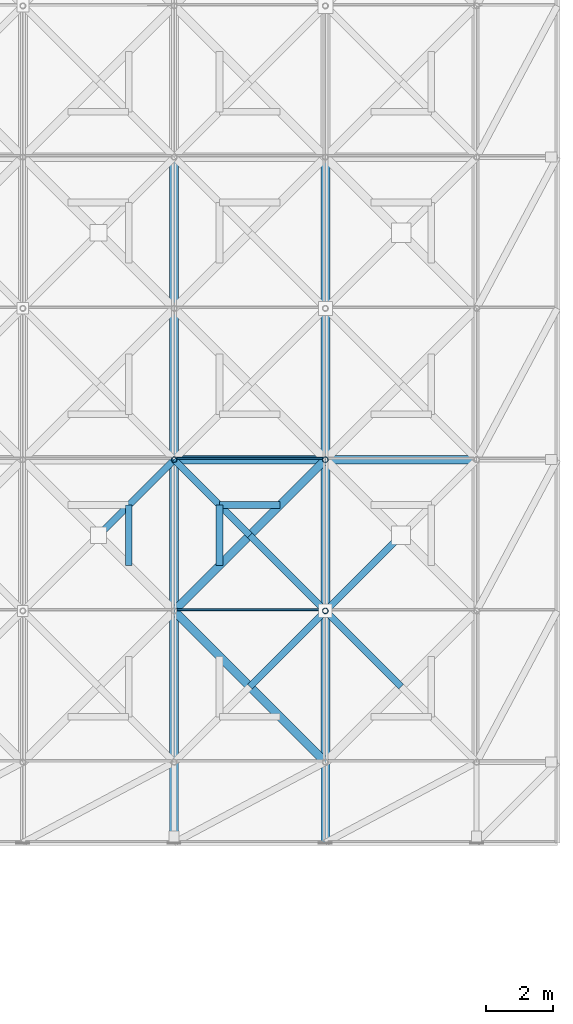
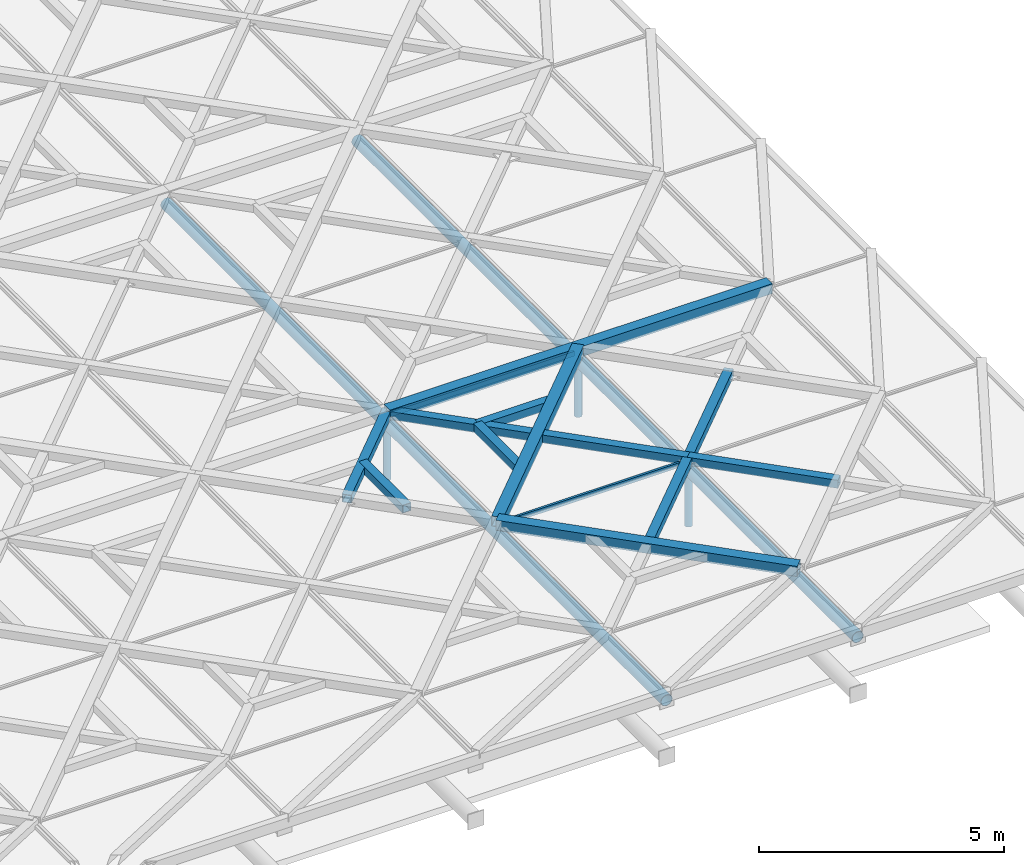
# One storey, part 24 of 80: 18 members, 1 element without a shape of its own.
"""IFC4 building model written with IfcOpenShell, lengths in metres."""

from ifc_helpers import new_model, si_unit, direction, frame, origin, origin_2d, place, context, subcontext, project, spatial, rectangle, hollow_rectangle, hollow_circle, extrude, material, material_profile, profile_set, type_object, element, aggregate, save


model = new_model("IFC4")

# Units and contexts
model_context = context("Model", 3, precision=1e-05, world=origin(), true_north=direction((0.0, 1.0)))
body_context = subcontext(model_context, "Body", "Model", "MODEL_VIEW")
ifc_project = project(units=[si_unit("LENGTHUNIT", "METRE"), si_unit("AREAUNIT", "SQUARE_METRE"), si_unit("VOLUMEUNIT", "CUBIC_METRE"), si_unit("PLANEANGLEUNIT", "RADIAN"), si_unit("MASSUNIT", "GRAM", prefix="KILO"), si_unit("THERMODYNAMICTEMPERATUREUNIT", "KELVIN"), si_unit("POWERUNIT", "WATT")], contexts=[model_context])

# Site, building, storey
site_placement = place(None, origin())
site = spatial("IfcSite", under=ifc_project, at=site_placement, CompositionType="ELEMENT")
building_placement = place(site_placement, origin())
building = spatial("IfcBuilding", under=site, at=building_placement, Name="Tallowbark Science Centre", CompositionType="ELEMENT")
storey_placement = place(building_placement, frame((0.0, 0.0, 25.949951171875)))
storey = spatial("IfcBuildingStorey", under=building, at=storey_placement, Name="ROOF", CompositionType="ELEMENT", Elevation=25.949951171875)

# Curtain wall, members
ifc_material_1 = material(Name="Blue-Tinted Laminated Low-E Skylight Glass", Category="glass")
curtain_wall_type = type_object("IfcCurtainWallType", Name="CW-SKY-ROOF", PredefinedType="NOTDEFINED", material=ifc_material_1)
curtain_wall_placement = place(storey_placement, origin())
curtain_wall = element("IfcCurtainWall", 1, at=curtain_wall_placement, inside=storey, type_object=curtain_wall_type, Name="Exhibition Star-Screen Skylight Bay 10", PredefinedType="NOTDEFINED")
ifc_material_2 = material(Name="Anodised Architectural Aluminium Alloy 6063-T6", Category="aluminium")
ifc_material_profile_1 = material_profile(ifc_material_2, rectangle(XDim=0.054931640625, YDim=0.1201171875, at=origin_2d()), Name="ALU55x120")
ifc_profile_set_1 = profile_set([ifc_material_profile_1], Name="Anodised Architectural Aluminium Alloy 6063-T6")
member_type_1 = type_object("IfcMemberType", Name="CWM-SKY-TRN", PredefinedType="USERDEFINED", material=ifc_profile_set_1)
member_1_placement = place(storey_placement, frame((94.580078125, 9.0400390625, 0.35205078125), z_axis=(1.0, 0.0, 0.0), x_axis=(0.0, 1.0, 0.0)))
member_1 = element("IfcMember", 2, at=member_1_placement, type_object=member_type_1, Name="Skylight Bay 10 Transom 3", ObjectType="TRANSOM", PredefinedType="USERDEFINED", context=body_context, shape_type="SweptSolid", body=[
    extrude(rectangle(XDim=0.054931640625, YDim=0.1201171875, at=origin_2d()), origin(), (0.0, 0.0, 1.0), 4.33984375),
])
member_2_placement = place(storey_placement, frame((94.580078125, 13.5400390625, 0.35205078125), z_axis=(1.0, 0.0, 0.0), x_axis=(0.0, 1.0, 0.0)))
member_2 = element("IfcMember", 3, at=member_2_placement, type_object=member_type_1, Name="Skylight Bay 10 Transom 4", ObjectType="TRANSOM", PredefinedType="USERDEFINED", context=body_context, shape_type="SweptSolid", body=[
    extrude(rectangle(XDim=0.054931640625, YDim=0.1201171875, at=origin_2d()), origin(), (0.0, 0.0, 1.0), 4.33984375),
])
aggregate(curtain_wall, [member_1, member_2])

# Members
ifc_material_3 = material(Name="White Architectural Painted Steel Grade C350L0 (350 MPa)", Category="steel")
ifc_material_profile_2 = material_profile(ifc_material_3, hollow_rectangle(XDim=0.25, YDim=0.25, WallThickness=0.009033203125, at=origin_2d()), Name="250x250x9.0SHS")
ifc_profile_set_2 = profile_set([ifc_material_profile_2], Name="White Architectural Painted Steel Grade C350L0 (350 MPa)")
member_type_2 = type_object("IfcMemberType", Name="SCR-CHD200", PredefinedType="CHORD", material=ifc_profile_set_2)
member_3_placement = place(storey_placement, frame((94.5, 13.5, 0.449951171875), z_axis=(1.0, 0.0, 0.0), x_axis=(0.0, 1.0, 0.0)))
element("IfcMember", 4, at=member_3_placement, inside=storey, type_object=member_type_2, Name="Star Screen Frame Chord TOP-70", PredefinedType="CHORD", context=body_context, shape_type="SweptSolid", body=[
    extrude(hollow_rectangle(XDim=0.25, YDim=0.25, WallThickness=0.009033203125, at=origin_2d()), origin(), (0.0, 0.0, 1.0), 9.0),
])
for number, where, z_axis, x_axis, name in (
    (5, (99.0, 13.5, 0.449951171875), (-0.707106781187, -0.707106781187, 0.0), (0.707106781187, -0.707106781187, 0.0), "Star Screen Octagram Diamond Chord TOP-70-3"),
    (6, (94.5, 9.0, 0.449951171875), (0.707106781187, -0.707106781187, 0.0), (0.707106781187, 0.707106781187, 0.0), "Star Screen Octagram Diamond Chord TOP-70-4"),
):
    element("IfcMember", number, at=place(storey_placement, frame(where, z_axis=z_axis, x_axis=x_axis)), inside=storey, type_object=member_type_2, Name=name, PredefinedType="CHORD", context=body_context, shape_type="SweptSolid", body=[
        extrude(hollow_rectangle(XDim=0.25, YDim=0.25, WallThickness=0.009033203125, at=origin_2d()), origin(), (0.0, 0.0, 1.0), 6.364013671875),
    ])
ifc_material_profile_3 = material_profile(ifc_material_3, hollow_rectangle(XDim=0.199951171875, YDim=0.199951171875, WallThickness=0.009033203125, at=origin_2d()), Name="200x200x9.0SHS")
ifc_profile_set_3 = profile_set([ifc_material_profile_3], Name="White Architectural Painted Steel Grade C350L0 (350 MPa)")
member_type_3 = type_object("IfcMemberType", Name="SCR-STAR139", PredefinedType="BRACE", material=ifc_profile_set_3)
member_4_placement = place(storey_placement, frame((92.25, 11.25, 0.449951171875), z_axis=(0.707106781187, 0.707106781187, 0.0), x_axis=(-0.707106781187, 0.707106781187, 0.0)))
element("IfcMember", 7, at=member_4_placement, inside=storey, type_object=member_type_3, Name="Star Screen Continuous X-Diagonal D1B TOP-66", PredefinedType="BRACE", context=body_context, shape_type="SweptSolid", body=[
    extrude(hollow_rectangle(XDim=0.199951171875, YDim=0.199951171875, WallThickness=0.009033203125, at=origin_2d()), origin(), (0.0, 0.0, 1.0), 3.181884765625),
])
member_5_placement = place(storey_placement, frame((96.75, 6.75, 0.449951171875), z_axis=(0.707106781187, 0.707106781187, 0.0), x_axis=(-0.707106781187, 0.707106781187, 0.0)))
element("IfcMember", 8, at=member_5_placement, inside=storey, type_object=member_type_3, Name="Star Screen Continuous X-Diagonal D1M TOP-70", PredefinedType="BRACE", context=body_context, shape_type="SweptSolid", body=[
    extrude(hollow_rectangle(XDim=0.199951171875, YDim=0.199951171875, WallThickness=0.009033203125, at=origin_2d()), origin(), (0.0, 0.0, 1.0), 6.364013671875),
])
for number, where, z_axis, x_axis, name in (
    (9, (94.5, 13.5, 0.449951171875), (0.707106781187, -0.707106781187, 0.0), (0.707106781187, 0.707106781187, 0.0), "Star Screen Split X-Diagonal D2A TOP-70"),
    (10, (96.75, 11.25, 0.449951171875), (0.707106781187, -0.707106781187, 0.0), (0.707106781187, 0.707106781187, 0.0), "Star Screen Split X-Diagonal D2B TOP-70"),
    (11, (99.0, 9.0, 0.449951171875), (0.707106781187, -0.707106781187, 0.0), (0.707106781187, 0.707106781187, 0.0), "Star Screen Split X-Diagonal D2C TOP-70"),
):
    element("IfcMember", number, at=place(storey_placement, frame(where, z_axis=z_axis, x_axis=x_axis)), inside=storey, type_object=member_type_3, Name=name, PredefinedType="BRACE", context=body_context, shape_type="SweptSolid", body=[
        extrude(hollow_rectangle(XDim=0.199951171875, YDim=0.199951171875, WallThickness=0.009033203125, at=origin_2d()), origin(), (0.0, 0.0, 1.0), 3.181884765625),
    ])
ifc_material_profile_4 = material_profile(ifc_material_3, hollow_rectangle(XDim=0.199951171875, YDim=0.199951171875, WallThickness=0.009033203125, at=origin_2d()), Name="200x200x9.0SHS")
ifc_profile_set_4 = profile_set([ifc_material_profile_4], Name="White Architectural Painted Steel Grade C350L0 (350 MPa)")
member_type_4 = type_object("IfcMemberType", Name="SCR-SUB150", PredefinedType="BRACE", material=ifc_profile_set_4)
for number, where, z_axis, x_axis, name in (
    (12, (93.14990234375, 12.14990234375, 0.449951171875), (0.0, -1.0, 0.0), (1.0, 0.0, 0.0), "Star Screen Octagram Point Ray TOP-66-6"),
    (13, (95.85009765625, 12.14990234375, 0.449951171875), (1.0, 0.0, 0.0), (0.0, 1.0, 0.0), "Star Screen Octagram Point Ray TOP-70-7"),
    (14, (95.85009765625, 12.14990234375, 0.449951171875), (0.0, -1.0, 0.0), (1.0, 0.0, 0.0), "Star Screen Octagram Point Ray TOP-70-8"),
):
    element("IfcMember", number, at=place(storey_placement, frame(where, z_axis=z_axis, x_axis=x_axis)), inside=storey, type_object=member_type_4, Name=name, PredefinedType="BRACE", context=body_context, shape_type="SweptSolid", body=[
        extrude(hollow_rectangle(XDim=0.199951171875, YDim=0.199951171875, WallThickness=0.009033203125, at=origin_2d()), origin(), (0.0, 0.0, 1.0), 1.7998046875),
    ])
ifc_material_profile_5 = material_profile(ifc_material_3, hollow_circle(Radius=0.136474609375, WallThickness=0.00927734375, at=origin_2d()), Name="273.1x9.3CHS")
ifc_profile_set_5 = profile_set([ifc_material_profile_5], Name="White Architectural Painted Steel Grade C350L0 (350 MPa)")
member_type_5 = type_object("IfcMemberType", Name="TR-CHD273", PredefinedType="CHORD", material=ifc_profile_set_5)
for number, where, z_axis, x_axis, name in (
    (15, (94.5, 2.10009765625, 0.18994140625), (0.0, 1.0, 0.0), (-1.0, 0.0, 0.0), "Exhibition Roof Truss South Top Chord 9"),
    (16, (99.0, 2.10009765625, 0.18994140625), (0.0, 1.0, 0.0), (-1.0, 0.0, 0.0), "Exhibition Roof Truss South Top Chord 10"),
):
    element("IfcMember", number, at=place(storey_placement, frame(where, z_axis=z_axis, x_axis=x_axis)), inside=storey, type_object=member_type_5, Name=name, PredefinedType="CHORD", context=body_context, shape_type="SweptSolid", body=[
        extrude(hollow_circle(Radius=0.136474609375, WallThickness=0.00927734375, at=origin_2d()), origin(), (0.0, 0.0, 1.0), 20.39990234375),
    ])
ifc_material_profile_6 = material_profile(ifc_material_3, hollow_circle(Radius=0.084228515625, WallThickness=0.007080078125, at=origin_2d()), Name="168.3x7.1CHS")
ifc_profile_set_6 = profile_set([ifc_material_profile_6], Name="White Architectural Painted Steel Grade C350L0 (350 MPa)")
member_type_6 = type_object("IfcMemberType", Name="TR-WEB168", PredefinedType="BRACE", material=ifc_profile_set_6)
for number, where, z_axis, x_axis, name in (
    (17, (94.5, 13.5, -1.199951171875), (0.0, 0.0, 1.0), (1.0, 0.0, 0.0), "Exhibition Roof Truss Web 9-13.5"),
    (18, (99.0, 9.0, -1.199951171875), (0.0, 0.0, 1.0), (1.0, 0.0, 0.0), "Exhibition Roof Truss Web 10-9"),
    (19, (99.0, 13.5, -1.199951171875), (0.0, 0.0, 1.0), (1.0, 0.0, 0.0), "Exhibition Roof Truss Web 10-13.5"),
):
    element("IfcMember", number, at=place(storey_placement, frame(where, z_axis=z_axis, x_axis=x_axis)), inside=storey, type_object=member_type_6, Name=name, PredefinedType="BRACE", context=body_context, shape_type="SweptSolid", body=[
        extrude(hollow_circle(Radius=0.084228515625, WallThickness=0.007080078125, at=origin_2d()), origin(), (0.0, 0.0, 1.0), 1.389892578125),
    ])

save(model, "model.ifc")
